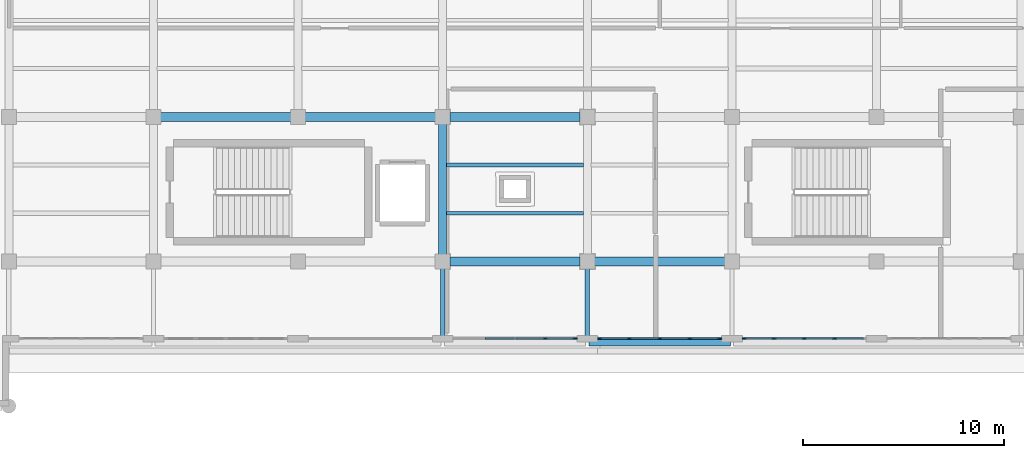
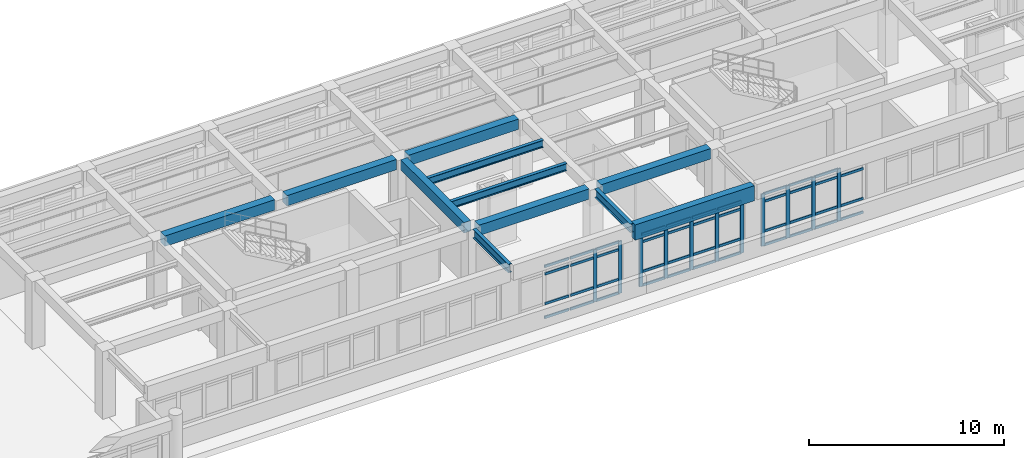
# One storey, part 6 of 64: 54 members, 11 beams, 3 elements without a shape of their own.
"""IFC4 building model written with IfcOpenShell, lengths in metres."""

import ifcopenshell
import ifcopenshell.guid

model = None  # the IFC model being written
_history = None  # IfcOwnerHistory: only IFC2X3 demands one
_inside = {}  # id of a spatial element -> (the spatial element, [elements in it])
_under = {}  # id of a project, library or spatial element -> (it, [spatial elements below it])
_declared = {}  # id of a project -> (the project, [libraries it declares])
_typed = {}  # id of a type object -> (the type object, [elements of that type])
_made_of = {}  # id of a material, layer set ... -> (it, [elements and type objects made of it])


def new_model(schema):
    """Start an empty IFC model of exactly this schema.

    Asked for "IFC4X3", IfcOpenShell would pick the latest addendum, in which some entities
    have other attributes; the version numbers below select the first issue.
    IFC2X3 requires an IfcOwnerHistory on every rooted entity: one is made here for all.
    """
    global model, _history
    if schema == "IFC4X3":
        model = ifcopenshell.file(schema_version=(4, 3, 0, 0))
    else:
        model = ifcopenshell.file(schema=schema)
    _inside.clear()
    _under.clear()
    _declared.clear()
    _typed.clear()
    _made_of.clear()
    _history = None
    if model.schema == "IFC2X3":
        org = make("IfcOrganization", Name="unknown")
        user = make(
            "IfcPersonAndOrganization",
            ThePerson=make("IfcPerson", FamilyName="unknown"),
            TheOrganization=org,
        )
        app = make(
            "IfcApplication",
            ApplicationDeveloper=org,
            Version="unknown",
            ApplicationFullName="unknown",
            ApplicationIdentifier="unknown",
        )
        _history = make(
            "IfcOwnerHistory",
            OwningUser=user,
            OwningApplication=app,
            ChangeAction="ADDED",
            CreationDate=0,
        )
    return model


def make(cls, **values):
    """One entity of the class cls with the attributes given. An attribute that is None is left unset."""
    return model.create_entity(
        cls, **{name: value for name, value in values.items() if value is not None}
    )


def rooted(cls, **values):
    """An entity with a GlobalId (a new one), such as an element, a storey or a relation."""
    return make(cls, GlobalId=ifcopenshell.guid.new(), OwnerHistory=_history, **values)


def si_unit(unit_type, name, prefix=None):
    """IfcSIUnit, for example si_unit("LENGTHUNIT", "METRE", prefix="MILLI")."""
    return make("IfcSIUnit", UnitType=unit_type, Prefix=prefix, Name=name)


def assignment(units):
    """IfcUnitAssignment: the units of a project."""
    return None if units is None else make("IfcUnitAssignment", Units=units)


def point(xyz):
    """IfcCartesianPoint."""
    return None if xyz is None else make("IfcCartesianPoint", Coordinates=xyz)


def direction(xyz):
    """IfcDirection."""
    return None if xyz is None else make("IfcDirection", DirectionRatios=xyz)


def frame(location, z_axis=None, x_axis=None):
    """IfcAxis2Placement3D, a coordinate frame: its origin and axes. An axis left out is left unset."""
    return make(
        "IfcAxis2Placement3D",
        Location=point(location),
        Axis=direction(z_axis),
        RefDirection=direction(x_axis),
    )


def frame_2d(location, x_axis=None):
    """IfcAxis2Placement2D, a coordinate frame in the plane: its origin and x axis."""
    return make(
        "IfcAxis2Placement2D", Location=point(location), RefDirection=direction(x_axis)
    )


def origin():
    """The frame at (0, 0, 0) with its axes left unset."""
    return frame((0.0, 0.0, 0.0))


def origin_2d():
    """The frame at (0, 0) in the plane with its x axis left unset."""
    return frame_2d((0.0, 0.0))


def place(relative_to, where):
    """IfcLocalPlacement: puts the frame where relative to a parent placement (None: the world)."""
    return make(
        "IfcLocalPlacement", PlacementRelTo=relative_to, RelativePlacement=where
    )


def context(
    kind, dimensions, precision=None, world=None, true_north=None, identifier=None
):
    """IfcGeometricRepresentationContext, for example the 3D "Model" context."""
    return make(
        "IfcGeometricRepresentationContext",
        ContextIdentifier=identifier,
        ContextType=kind,
        CoordinateSpaceDimension=dimensions,
        Precision=precision,
        WorldCoordinateSystem=world,
        TrueNorth=true_north,
    )


def subcontext(parent, identifier, kind, view, scale=None):
    """IfcGeometricRepresentationSubContext, for example "Body" below "Model"."""
    return make(
        "IfcGeometricRepresentationSubContext",
        ContextIdentifier=identifier,
        ContextType=kind,
        ParentContext=parent,
        TargetScale=scale,
        TargetView=view,
    )


def project(units=None, contexts=None):
    """IfcProject with its units and contexts."""
    return rooted(
        "IfcProject",
        Name="project",
        RepresentationContexts=contexts,
        UnitsInContext=assignment(units),
    )


def spatial(cls, under=None, at=None, **own):
    """A site, building, storey or space (cls), placed at a placement, below another one or the project."""
    s = rooted(cls, ObjectPlacement=at, **own)
    if under is not None:
        _under.setdefault(under.id(), (under, []))[1].append(s)
    return s


def profile(cls, at=None, kind="AREA", **sizes):
    """A parametric profile (cls). Its sizes go by their IFC names, for example OverallWidth=200.0."""
    return make(cls, ProfileType=kind, Position=at, **sizes)


def rectangle(**sizes):
    """IfcRectangleProfileDef."""
    return profile("IfcRectangleProfileDef", **sizes)


def i_section(**sizes):
    """IfcIShapeProfileDef."""
    return profile("IfcIShapeProfileDef", **sizes)


def extrude(swept, where, along, depth):
    """IfcExtrudedAreaSolid: the profile swept, set in the frame where, extruded along a direction by depth."""
    return make(
        "IfcExtrudedAreaSolid",
        SweptArea=swept,
        Position=where,
        ExtrudedDirection=direction(along),
        Depth=depth,
    )


def shape(context_of_items, identifier, shape_type, items):
    """IfcShapeRepresentation: the items that make up one representation, for example the "Body"."""
    return make(
        "IfcShapeRepresentation",
        ContextOfItems=context_of_items,
        RepresentationIdentifier=identifier,
        RepresentationType=shape_type,
        Items=items,
    )


def material(Name=None, Category=None):
    """IfcMaterial."""
    return make("IfcMaterial", Name=Name, Category=Category)


def layer(
    of_material, thickness, ventilated=None, Name=None, Category=None, Priority=None
):
    """IfcMaterialLayer: one layer of a wall or slab, of a material (None: an air gap)."""
    return make(
        "IfcMaterialLayer",
        Material=of_material,
        LayerThickness=thickness,
        IsVentilated=ventilated,
        Name=Name,
        Category=Category,
        Priority=Priority,
    )


def layer_set(layers, Name=None):
    """IfcMaterialLayerSet."""
    return make("IfcMaterialLayerSet", MaterialLayers=layers, LayerSetName=Name)


def material_profile(
    of_material, cross_section, Name=None, Category=None, Priority=None
):
    """IfcMaterialProfile: a cross section and its material."""
    return make(
        "IfcMaterialProfile",
        Name=Name,
        Material=of_material,
        Profile=cross_section,
        Priority=Priority,
        Category=Category,
    )


def profile_set(profiles, Name=None, composite=None):
    """IfcMaterialProfileSet."""
    return make(
        "IfcMaterialProfileSet",
        Name=Name,
        MaterialProfiles=profiles,
        CompositeProfile=composite,
    )


def made_of(thing, what):
    """Note that an element or type object is made of a material, layer set ...; save() writes the relation."""
    if what is not None:
        _made_of.setdefault(what.id(), (what, []))[1].append(thing)
    return thing


def type_object(cls, material=None, **own):
    """A type object (cls), such as IfcWallType, which elements share."""
    return made_of(rooted(cls, **own), material)


def element(
    cls,
    number,
    at=None,
    inside=None,
    cuts=None,
    type_object=None,
    material=None,
    context=None,
    identifier="Body",
    shape_type=None,
    held_by="IfcProductDefinitionShape",
    body=None,
    shapes=None,
    **own,
):
    """One element of the class cls, such as IfcWall. Its Tag is "e" and its number.

    at: its placement. inside: the storey or other place that contains it. cuts: it is an
    opening in that element (IfcRelVoidsElement). A single representation is given by context,
    identifier, shape_type and body (its items); several are given by shapes. held_by: the class
    of the entity that holds the representations. save() writes the other relations.
    """
    e = rooted(cls, Tag="e%d" % number, ObjectPlacement=at, **own)
    if body is not None:
        shapes = [shape(context, identifier, shape_type, body)]
    if shapes is not None:
        e.Representation = make(held_by, Representations=shapes)
    if inside is not None:
        _inside.setdefault(inside.id(), (inside, []))[1].append(e)
    if cuts is not None:
        rooted(
            "IfcRelVoidsElement", RelatingBuildingElement=cuts, RelatedOpeningElement=e
        )
    if type_object is not None:
        _typed.setdefault(type_object.id(), (type_object, []))[1].append(e)
    return made_of(e, material)


def aggregate(whole, parts):
    """IfcRelAggregates: a whole, such as a stair, and the parts it consists of."""
    return rooted("IfcRelAggregates", RelatingObject=whole, RelatedObjects=parts)


def save(model, path):
    """Write the relations noted so far, then the file.

    IfcRelAggregates (storeys below a building ...), IfcRelContainedInSpatialStructure (elements
    in a storey), IfcRelDefinesByType, IfcRelAssociatesMaterial and IfcRelDeclares: one each for
    every whole, place, type object, material and project.
    """
    for whole, parts in _under.values():
        aggregate(whole, parts)
    for where, things in _inside.values():
        rooted(
            "IfcRelContainedInSpatialStructure",
            RelatedElements=things,
            RelatingStructure=where,
        )
    for kind, things in _typed.values():
        rooted("IfcRelDefinesByType", RelatedObjects=things, RelatingType=kind)
    for what, things in _made_of.values():
        rooted("IfcRelAssociatesMaterial", RelatedObjects=things, RelatingMaterial=what)
    for by, libraries in _declared.values():
        rooted("IfcRelDeclares", RelatingContext=by, RelatedDefinitions=libraries)
    model.write(path)


model = new_model("IFC4")

# Units and contexts
model_context = context("Model", 3, precision=1e-05, world=origin(), true_north=direction((0.0, 1.0)))
body_context = subcontext(model_context, "Body", "Model", "MODEL_VIEW")
ifc_project = project(units=[si_unit("LENGTHUNIT", "METRE"), si_unit("AREAUNIT", "SQUARE_METRE"), si_unit("VOLUMEUNIT", "CUBIC_METRE"), si_unit("PLANEANGLEUNIT", "RADIAN"), si_unit("MASSUNIT", "GRAM", prefix="KILO")], contexts=[model_context])

# Site, building, storey
site_placement = place(None, origin())
site = spatial("IfcSite", under=ifc_project, at=site_placement, CompositionType="ELEMENT")
building_placement = place(site_placement, origin())
building = spatial("IfcBuilding", under=site, at=building_placement, Name="Solenvale Faculty of Natural Sciences", CompositionType="ELEMENT")
storey_placement = place(building_placement, frame((0.0, 0.0, 18.0)))
storey = spatial("IfcBuildingStorey", under=building, at=storey_placement, Name="L04", CompositionType="ELEMENT", Elevation=18.0)

# Beams
ifc_material_1 = material(Name="Concrete 40 MPa", Category="concrete")
ifc_material_profile_1 = material_profile(ifc_material_1, rectangle(XDim=0.39990234375, YDim=0.64990234375, at=origin_2d()), Name="RC-BM-400x650")
ifc_profile_set_1 = profile_set([ifc_material_profile_1], Name="Concrete 40 MPa")
beam_type_1 = type_object("IfcBeamType", Name="BM-RC-400x650", PredefinedType="BEAM", material=ifc_profile_set_1)
beam_1_placement = place(storey_placement, frame((79.199951171875, 21.955078125, 3.89501953125), z_axis=(0.0, 1.0, 0.0), x_axis=(-1.0, 0.0, 0.0)))
element("IfcBeam", 1, at=beam_1_placement, inside=storey, type_object=beam_type_1, Name="L04 Y-Girder X79.2 (21.6..28.8)", PredefinedType="BEAM", context=body_context, shape_type="SweptSolid", body=[
    extrude(rectangle(XDim=0.39990234375, YDim=0.64990234375, at=origin_2d()), origin(), (0.0, 0.0, 1.0), 6.489990234375),
])
ifc_material_profile_2 = material_profile(ifc_material_1, rectangle(XDim=0.449951171875, YDim=0.64990234375, at=origin_2d()), Name="RC-BM-450x650")
ifc_profile_set_2 = profile_set([ifc_material_profile_2], Name="Concrete 40 MPa")
beam_type_2 = type_object("IfcBeamType", Name="BM-RC-450x650", PredefinedType="BEAM", material=ifc_profile_set_2)
beam_2_placement = place(storey_placement, frame((79.554931640625, 21.60009765625, 3.89501953125), z_axis=(1.0, 0.0, 0.0), x_axis=(0.0, 1.0, 0.0)))
element("IfcBeam", 2, at=beam_2_placement, inside=storey, type_object=beam_type_2, Name="L04 X-Girder Y21.6 (79.2..86.4)", PredefinedType="BEAM", context=body_context, shape_type="SweptSolid", body=[
    extrude(rectangle(XDim=0.449951171875, YDim=0.64990234375, at=origin_2d()), origin(), (0.0, 0.0, 1.0), 6.489990234375),
])
beam_3_placement = place(storey_placement, frame((86.7548828125, 21.60009765625, 3.89501953125), z_axis=(1.0, 0.0, 0.0), x_axis=(0.0, 1.0, 0.0)))
element("IfcBeam", 3, at=beam_3_placement, inside=storey, type_object=beam_type_2, Name="L04 X-Girder Y21.6 (86.4..93.6)", PredefinedType="BEAM", context=body_context, shape_type="SweptSolid", body=[
    extrude(rectangle(XDim=0.449951171875, YDim=0.64990234375, at=origin_2d()), origin(), (0.0, 0.0, 1.0), 6.490234375),
])
for number, where, z_axis, x_axis, name in (
    (4, (65.155029296875, 28.800048828125, 3.89501953125), (1.0, 0.0, 0.0), (0.0, 1.0, 0.0), "L04 X-Girder Y28.8 (64.8..72.0)"),
    (5, (72.35498046875, 28.800048828125, 3.89501953125), (1.0, 0.0, 0.0), (0.0, 1.0, 0.0), "L04 X-Girder Y28.8 (72.0..79.2)"),
    (6, (79.554931640625, 28.800048828125, 3.89501953125), (1.0, 0.0, 0.0), (0.0, 1.0, 0.0), "L04 X-Girder Y28.8 (79.2..86.4)"),
):
    element("IfcBeam", number, at=place(storey_placement, frame(where, z_axis=z_axis, x_axis=x_axis)), inside=storey, type_object=beam_type_2, Name=name, PredefinedType="BEAM", context=body_context, shape_type="SweptSolid", body=[
        extrude(rectangle(XDim=0.449951171875, YDim=0.64990234375, at=origin_2d()), origin(), (0.0, 0.0, 1.0), 6.489990234375),
    ])
ifc_material_2 = material(Name="Architectural bronze concrete 40 MPa", Category="concrete")
ifc_material_profile_3 = material_profile(ifc_material_2, rectangle(XDim=0.39990234375, YDim=0.949951171875, at=origin_2d()), Name="RC-SPN-400x950")
ifc_profile_set_3 = profile_set([ifc_material_profile_3], Name="Architectural bronze concrete 40 MPa")
beam_type_3 = type_object("IfcBeamType", Name="BM-SPN-BRZ-950", PredefinedType="SPANDREL", material=ifc_profile_set_3)
beam_4_placement = place(storey_placement, frame((86.47998046875, 17.60009765625, 3.7451171875), z_axis=(1.0, 0.0, 0.0), x_axis=(0.0, 1.0, 0.0)))
element("IfcBeam", 7, at=beam_4_placement, inside=storey, type_object=beam_type_3, Name="L05 Sliding-Tray South Bronze Fascia 4", PredefinedType="SPANDREL", context=body_context, shape_type="SweptSolid", body=[
    extrude(rectangle(XDim=0.39990234375, YDim=0.949951171875, at=origin_2d()), origin(), (0.0, 0.0, 1.0), 7.0400390625),
])
ifc_material_3 = material(Name="Steel S355", Category="steel")
ifc_material_profile_4 = material_profile(ifc_material_3, i_section(OverallWidth=0.19091796875, OverallDepth=0.4599609375, WebThickness=0.010009765625, FlangeThickness=0.01611328125, FilletRadius=0.01806640625, at=origin_2d()), Name="W460x82")
ifc_profile_set_4 = profile_set([ifc_material_profile_4], Name="Steel S355")
beam_type_4 = type_object("IfcBeamType", Name="BM-STL-W460x82", PredefinedType="JOIST", material=ifc_profile_set_4)
for number, where, z_axis, x_axis, name in (
    (8, (79.3798828125, 24.0, 3.989990234375), (1.0, 0.0, 0.0), (0.0, 1.0, 0.0), "L04 Composite Floor Joist (12,4).1"),
    (9, (79.3798828125, 26.39990234375, 3.989990234375), (1.0, 0.0, 0.0), (0.0, 1.0, 0.0), "L04 Composite Floor Joist (12,4).2"),
):
    element("IfcBeam", number, at=place(storey_placement, frame(where, z_axis=z_axis, x_axis=x_axis)), inside=storey, type_object=beam_type_4, Name=name, PredefinedType="JOIST", context=body_context, shape_type="SweptSolid", body=[
        extrude(i_section(OverallWidth=0.19091796875, OverallDepth=0.4599609375, WebThickness=0.010009765625, FlangeThickness=0.01611328125, FilletRadius=0.01806640625, at=origin_2d()), origin(), (0.0, 0.0, 1.0), 6.840087890625),
    ])
ifc_material_profile_5 = material_profile(ifc_material_3, i_section(OverallWidth=0.2119140625, OverallDepth=0.5439453125, WebThickness=0.01318359375, FlangeThickness=0.021240234375, FilletRadius=0.01904296875, at=origin_2d()), Name="W530x123")
ifc_profile_set_5 = profile_set([ifc_material_profile_5], Name="Steel S355")
beam_type_5 = type_object("IfcBeamType", Name="BM-STL-W530x123", PredefinedType="BEAM", material=ifc_profile_set_5)
for number, where, z_axis, x_axis, name in (
    (10, (79.199951171875, 21.2451171875, 3.947998046875), (0.0, -1.0, 0.0), (1.0, 0.0, 0.0), "L04 V4 Cantilever Tray Girder X79.2"),
    (11, (86.39990234375, 21.2451171875, 3.947998046875), (0.0, -1.0, 0.0), (1.0, 0.0, 0.0), "L04 V4 Cantilever Tray Girder X86.4"),
):
    element("IfcBeam", number, at=place(storey_placement, frame(where, z_axis=z_axis, x_axis=x_axis)), inside=storey, type_object=beam_type_5, Name=name, PredefinedType="BEAM", context=body_context, shape_type="SweptSolid", body=[
        extrude(i_section(OverallWidth=0.2119140625, OverallDepth=0.5439453125, WebThickness=0.01318359375, FlangeThickness=0.021240234375, FilletRadius=0.01904296875, at=origin_2d()), origin(), (0.0, 0.0, 1.0), 3.64501953125),
    ])

# Curtain wall, members
ifc_material_4 = material(Name="Anodised bronze aluminium", Category="aluminium")
ifc_layer = layer(ifc_material_4, 0.18994140625)
ifc_layer_set = layer_set([ifc_layer], Name="Anodised bronze aluminium")
curtain_wall_type = type_object("IfcCurtainWallType", Name="CW-TRAY-REC", PredefinedType="USERDEFINED", material=ifc_layer_set)
curtain_wall_1_placement = place(storey_placement, origin())
curtain_wall_1 = element("IfcCurtainWall", 12, at=curtain_wall_1_placement, inside=storey, type_object=curtain_wall_type, Name="L04 Curtain Wall CW-L04-P1-E6-B4", ObjectType="UNITISED CURTAIN WALL", PredefinedType="USERDEFINED")
ifc_material_profile_6 = material_profile(ifc_material_4, rectangle(XDim=0.074951171875, YDim=0.2099609375, at=origin_2d()), Name="ALU-MUL-75x210")
ifc_profile_set_6 = profile_set([ifc_material_profile_6], Name="Anodised bronze aluminium")
member_type_1 = type_object("IfcMemberType", Name="CWM-ALU-75x210", PredefinedType="MULLION", material=ifc_profile_set_6)
member_1_placement = place(storey_placement, frame((84.31005859375, 17.762451171875, 0.0), z_axis=(0.0, 0.0, 1.0), x_axis=(0.0, 1.0, 0.0)))
member_1 = element("IfcMember", 13, at=member_1_placement, type_object=member_type_1, Name="CW-02 mullion 4", PredefinedType="MULLION", context=body_context, shape_type="SweptSolid", body=[
    extrude(rectangle(XDim=0.074951171875, YDim=0.2099609375, at=origin_2d()), origin(), (0.0, 0.0, 1.0), 3.260009765625),
])
member_2_placement = place(storey_placement, frame((85.782470703125, 17.762451171875, 0.0), z_axis=(0.0, 0.0, 1.0), x_axis=(0.0, 1.0, 0.0)))
member_2 = element("IfcMember", 14, at=member_2_placement, type_object=member_type_1, Name="CW-02 mullion 5", PredefinedType="MULLION", context=body_context, shape_type="SweptSolid", body=[
    extrude(rectangle(XDim=0.074951171875, YDim=0.2099609375, at=origin_2d()), origin(), (0.0, 0.0, 1.0), 3.260009765625),
])

curtain_wall_2_placement = place(storey_placement, origin())
curtain_wall_2 = element("IfcCurtainWall", 15, at=curtain_wall_2_placement, inside=storey, type_object=curtain_wall_type, Name="L04 Curtain Wall CW-L04-P1-E6-B5", ObjectType="UNITISED CURTAIN WALL", PredefinedType="USERDEFINED")
member_3_placement = place(storey_placement, frame((87.017578125, 17.762451171875, 0.0), z_axis=(0.0, 0.0, 1.0), x_axis=(0.0, 1.0, 0.0)))
member_3 = element("IfcMember", 16, at=member_3_placement, type_object=member_type_1, Name="CW-02 mullion 1", PredefinedType="MULLION", context=body_context, shape_type="SweptSolid", body=[
    extrude(rectangle(XDim=0.074951171875, YDim=0.2099609375, at=origin_2d()), origin(), (0.0, 0.0, 1.0), 3.260009765625),
])
member_4_placement = place(storey_placement, frame((88.489990234375, 17.762451171875, 0.0), z_axis=(0.0, 0.0, 1.0), x_axis=(0.0, 1.0, 0.0)))
member_4 = element("IfcMember", 17, at=member_4_placement, type_object=member_type_1, Name="CW-02 mullion 2", PredefinedType="MULLION", context=body_context, shape_type="SweptSolid", body=[
    extrude(rectangle(XDim=0.074951171875, YDim=0.2099609375, at=origin_2d()), origin(), (0.0, 0.0, 1.0), 3.260009765625),
])
member_5_placement = place(storey_placement, frame((90.0, 17.762451171875, 0.0), z_axis=(0.0, 0.0, 1.0), x_axis=(0.0, 1.0, 0.0)))
member_5 = element("IfcMember", 18, at=member_5_placement, type_object=member_type_1, Name="CW-02 mullion 3", PredefinedType="MULLION", context=body_context, shape_type="SweptSolid", body=[
    extrude(rectangle(XDim=0.074951171875, YDim=0.2099609375, at=origin_2d()), origin(), (0.0, 0.0, 1.0), 3.260009765625),
])
member_6_placement = place(storey_placement, frame((91.510009765625, 17.762451171875, 0.0), z_axis=(0.0, 0.0, 1.0), x_axis=(0.0, 1.0, 0.0)))
member_6 = element("IfcMember", 19, at=member_6_placement, type_object=member_type_1, Name="CW-02 mullion 4", PredefinedType="MULLION", context=body_context, shape_type="SweptSolid", body=[
    extrude(rectangle(XDim=0.074951171875, YDim=0.2099609375, at=origin_2d()), origin(), (0.0, 0.0, 1.0), 3.260009765625),
])
member_7_placement = place(storey_placement, frame((92.982421875, 17.762451171875, 0.0), z_axis=(0.0, 0.0, 1.0), x_axis=(0.0, 1.0, 0.0)))
member_7 = element("IfcMember", 20, at=member_7_placement, type_object=member_type_1, Name="CW-02 mullion 5", PredefinedType="MULLION", context=body_context, shape_type="SweptSolid", body=[
    extrude(rectangle(XDim=0.074951171875, YDim=0.2099609375, at=origin_2d()), origin(), (0.0, 0.0, 1.0), 3.260009765625),
])

curtain_wall_3_placement = place(storey_placement, origin())
curtain_wall_3 = element("IfcCurtainWall", 21, at=curtain_wall_3_placement, inside=storey, type_object=curtain_wall_type, Name="L04 Curtain Wall CW-L04-P1-E6-B6", ObjectType="UNITISED CURTAIN WALL", PredefinedType="USERDEFINED")
member_8_placement = place(storey_placement, frame((94.217529296875, 17.762451171875, 0.0), z_axis=(0.0, 0.0, 1.0), x_axis=(0.0, 1.0, 0.0)))
member_8 = element("IfcMember", 22, at=member_8_placement, type_object=member_type_1, Name="CW-02 mullion 1", PredefinedType="MULLION", context=body_context, shape_type="SweptSolid", body=[
    extrude(rectangle(XDim=0.074951171875, YDim=0.2099609375, at=origin_2d()), origin(), (0.0, 0.0, 1.0), 3.260009765625),
])
member_9_placement = place(storey_placement, frame((95.68994140625, 17.762451171875, 0.0), z_axis=(0.0, 0.0, 1.0), x_axis=(0.0, 1.0, 0.0)))
member_9 = element("IfcMember", 23, at=member_9_placement, type_object=member_type_1, Name="CW-02 mullion 2", PredefinedType="MULLION", context=body_context, shape_type="SweptSolid", body=[
    extrude(rectangle(XDim=0.074951171875, YDim=0.2099609375, at=origin_2d()), origin(), (0.0, 0.0, 1.0), 3.260009765625),
])
member_10_placement = place(storey_placement, frame((97.199951171875, 17.762451171875, 0.0), z_axis=(0.0, 0.0, 1.0), x_axis=(0.0, 1.0, 0.0)))
member_10 = element("IfcMember", 24, at=member_10_placement, type_object=member_type_1, Name="CW-02 mullion 3", PredefinedType="MULLION", context=body_context, shape_type="SweptSolid", body=[
    extrude(rectangle(XDim=0.074951171875, YDim=0.2099609375, at=origin_2d()), origin(), (0.0, 0.0, 1.0), 3.260009765625),
])
member_11_placement = place(storey_placement, frame((98.7099609375, 17.762451171875, 0.0), z_axis=(0.0, 0.0, 1.0), x_axis=(0.0, 1.0, 0.0)))
member_11 = element("IfcMember", 25, at=member_11_placement, type_object=member_type_1, Name="CW-02 mullion 4", PredefinedType="MULLION", context=body_context, shape_type="SweptSolid", body=[
    extrude(rectangle(XDim=0.074951171875, YDim=0.2099609375, at=origin_2d()), origin(), (0.0, 0.0, 1.0), 3.260009765625),
])

# Member
ifc_material_profile_7 = material_profile(ifc_material_4, rectangle(XDim=0.074951171875, YDim=0.155029296875, at=origin_2d()), Name="ALU-TRN-75x155")
ifc_profile_set_7 = profile_set([ifc_material_profile_7], Name="Anodised bronze aluminium")
member_type_2 = type_object("IfcMemberType", Name="CWT-ALU-75x155", PredefinedType="USERDEFINED", material=ifc_profile_set_7)
member_12_placement = place(storey_placement, frame((81.327392578125, 17.762451171875, 0.03759765625), z_axis=(1.0, 0.0, 0.0), x_axis=(0.0, 1.0, 0.0)))
member_12 = element("IfcMember", 26, at=member_12_placement, type_object=member_type_2, Name="CW-02 transom 2.1", ObjectType="TRANSOM", PredefinedType="USERDEFINED", context=body_context, shape_type="SweptSolid", body=[
    extrude(rectangle(XDim=0.074951171875, YDim=0.155029296875, at=origin_2d()), origin(), (0.0, 0.0, 1.0), 1.43505859375),
])

member_13_placement = place(storey_placement, frame((81.327392578125, 17.762451171875, 0.89990234375), z_axis=(1.0, 0.0, 0.0), x_axis=(0.0, 1.0, 0.0)))
member_13 = element("IfcMember", 27, at=member_13_placement, type_object=member_type_2, Name="CW-02 transom 2.2", ObjectType="TRANSOM", PredefinedType="USERDEFINED", context=body_context, shape_type="SweptSolid", body=[
    extrude(rectangle(XDim=0.074951171875, YDim=0.155029296875, at=origin_2d()), origin(), (0.0, 0.0, 1.0), 1.43505859375),
])

member_14_placement = place(storey_placement, frame((81.327392578125, 17.762451171875, 2.760009765625), z_axis=(1.0, 0.0, 0.0), x_axis=(0.0, 1.0, 0.0)))
member_14 = element("IfcMember", 28, at=member_14_placement, type_object=member_type_2, Name="CW-02 transom 2.3", ObjectType="TRANSOM", PredefinedType="USERDEFINED", context=body_context, shape_type="SweptSolid", body=[
    extrude(rectangle(XDim=0.074951171875, YDim=0.155029296875, at=origin_2d()), origin(), (0.0, 0.0, 1.0), 1.43505859375),
])

member_15_placement = place(storey_placement, frame((81.327392578125, 17.762451171875, 3.222412109375), z_axis=(1.0, 0.0, 0.0), x_axis=(0.0, 1.0, 0.0)))
member_15 = element("IfcMember", 29, at=member_15_placement, type_object=member_type_2, Name="CW-02 transom 2.4", ObjectType="TRANSOM", PredefinedType="USERDEFINED", context=body_context, shape_type="SweptSolid", body=[
    extrude(rectangle(XDim=0.074951171875, YDim=0.155029296875, at=origin_2d()), origin(), (0.0, 0.0, 1.0), 1.43505859375),
])

member_16_placement = place(storey_placement, frame((82.83740234375, 17.762451171875, 0.03759765625), z_axis=(1.0, 0.0, 0.0), x_axis=(0.0, 1.0, 0.0)))
member_16 = element("IfcMember", 30, at=member_16_placement, type_object=member_type_2, Name="CW-02 transom 3.1", ObjectType="TRANSOM", PredefinedType="USERDEFINED", context=body_context, shape_type="SweptSolid", body=[
    extrude(rectangle(XDim=0.074951171875, YDim=0.155029296875, at=origin_2d()), origin(), (0.0, 0.0, 1.0), 1.43505859375),
])

member_17_placement = place(storey_placement, frame((82.83740234375, 17.762451171875, 0.89990234375), z_axis=(1.0, 0.0, 0.0), x_axis=(0.0, 1.0, 0.0)))
member_17 = element("IfcMember", 31, at=member_17_placement, type_object=member_type_2, Name="CW-02 transom 3.2", ObjectType="TRANSOM", PredefinedType="USERDEFINED", context=body_context, shape_type="SweptSolid", body=[
    extrude(rectangle(XDim=0.074951171875, YDim=0.155029296875, at=origin_2d()), origin(), (0.0, 0.0, 1.0), 1.43505859375),
])

member_18_placement = place(storey_placement, frame((82.83740234375, 17.762451171875, 2.760009765625), z_axis=(1.0, 0.0, 0.0), x_axis=(0.0, 1.0, 0.0)))
member_18 = element("IfcMember", 32, at=member_18_placement, type_object=member_type_2, Name="CW-02 transom 3.3", ObjectType="TRANSOM", PredefinedType="USERDEFINED", context=body_context, shape_type="SweptSolid", body=[
    extrude(rectangle(XDim=0.074951171875, YDim=0.155029296875, at=origin_2d()), origin(), (0.0, 0.0, 1.0), 1.43505859375),
])

member_19_placement = place(storey_placement, frame((82.83740234375, 17.762451171875, 3.222412109375), z_axis=(1.0, 0.0, 0.0), x_axis=(0.0, 1.0, 0.0)))
member_19 = element("IfcMember", 33, at=member_19_placement, type_object=member_type_2, Name="CW-02 transom 3.4", ObjectType="TRANSOM", PredefinedType="USERDEFINED", context=body_context, shape_type="SweptSolid", body=[
    extrude(rectangle(XDim=0.074951171875, YDim=0.155029296875, at=origin_2d()), origin(), (0.0, 0.0, 1.0), 1.43505859375),
])

member_20_placement = place(storey_placement, frame((84.347412109375, 17.762451171875, 0.03759765625), z_axis=(1.0, 0.0, 0.0), x_axis=(0.0, 1.0, 0.0)))
member_20 = element("IfcMember", 34, at=member_20_placement, type_object=member_type_2, Name="CW-02 transom 4.1", ObjectType="TRANSOM", PredefinedType="USERDEFINED", context=body_context, shape_type="SweptSolid", body=[
    extrude(rectangle(XDim=0.074951171875, YDim=0.155029296875, at=origin_2d()), origin(), (0.0, 0.0, 1.0), 1.397705078125),
])

member_21_placement = place(storey_placement, frame((84.347412109375, 17.762451171875, 0.89990234375), z_axis=(1.0, 0.0, 0.0), x_axis=(0.0, 1.0, 0.0)))
member_21 = element("IfcMember", 35, at=member_21_placement, type_object=member_type_2, Name="CW-02 transom 4.2", ObjectType="TRANSOM", PredefinedType="USERDEFINED", context=body_context, shape_type="SweptSolid", body=[
    extrude(rectangle(XDim=0.074951171875, YDim=0.155029296875, at=origin_2d()), origin(), (0.0, 0.0, 1.0), 1.397705078125),
])

member_22_placement = place(storey_placement, frame((84.347412109375, 17.762451171875, 2.760009765625), z_axis=(1.0, 0.0, 0.0), x_axis=(0.0, 1.0, 0.0)))
member_22 = element("IfcMember", 36, at=member_22_placement, type_object=member_type_2, Name="CW-02 transom 4.3", ObjectType="TRANSOM", PredefinedType="USERDEFINED", context=body_context, shape_type="SweptSolid", body=[
    extrude(rectangle(XDim=0.074951171875, YDim=0.155029296875, at=origin_2d()), origin(), (0.0, 0.0, 1.0), 1.397705078125),
])

member_23_placement = place(storey_placement, frame((84.347412109375, 17.762451171875, 3.222412109375), z_axis=(1.0, 0.0, 0.0), x_axis=(0.0, 1.0, 0.0)))
member_23 = element("IfcMember", 37, at=member_23_placement, type_object=member_type_2, Name="CW-02 transom 4.4", ObjectType="TRANSOM", PredefinedType="USERDEFINED", context=body_context, shape_type="SweptSolid", body=[
    extrude(rectangle(XDim=0.074951171875, YDim=0.155029296875, at=origin_2d()), origin(), (0.0, 0.0, 1.0), 1.397705078125),
])

aggregate(curtain_wall_1, [member_1, member_2, member_12, member_13, member_14, member_15, member_16, member_17, member_18, member_19, member_20, member_21, member_22, member_23])

member_24_placement = place(storey_placement, frame((87.054931640625, 17.762451171875, 0.03759765625), z_axis=(1.0, 0.0, 0.0), x_axis=(0.0, 1.0, 0.0)))
member_24 = element("IfcMember", 38, at=member_24_placement, type_object=member_type_2, Name="CW-02 transom 1.1", ObjectType="TRANSOM", PredefinedType="USERDEFINED", context=body_context, shape_type="SweptSolid", body=[
    extrude(rectangle(XDim=0.074951171875, YDim=0.155029296875, at=origin_2d()), origin(), (0.0, 0.0, 1.0), 1.3974609375),
])

member_25_placement = place(storey_placement, frame((87.054931640625, 17.762451171875, 0.89990234375), z_axis=(1.0, 0.0, 0.0), x_axis=(0.0, 1.0, 0.0)))
member_25 = element("IfcMember", 39, at=member_25_placement, type_object=member_type_2, Name="CW-02 transom 1.2", ObjectType="TRANSOM", PredefinedType="USERDEFINED", context=body_context, shape_type="SweptSolid", body=[
    extrude(rectangle(XDim=0.074951171875, YDim=0.155029296875, at=origin_2d()), origin(), (0.0, 0.0, 1.0), 1.3974609375),
])

member_26_placement = place(storey_placement, frame((87.054931640625, 17.762451171875, 2.760009765625), z_axis=(1.0, 0.0, 0.0), x_axis=(0.0, 1.0, 0.0)))
member_26 = element("IfcMember", 40, at=member_26_placement, type_object=member_type_2, Name="CW-02 transom 1.3", ObjectType="TRANSOM", PredefinedType="USERDEFINED", context=body_context, shape_type="SweptSolid", body=[
    extrude(rectangle(XDim=0.074951171875, YDim=0.155029296875, at=origin_2d()), origin(), (0.0, 0.0, 1.0), 1.3974609375),
])

member_27_placement = place(storey_placement, frame((87.054931640625, 17.762451171875, 3.222412109375), z_axis=(1.0, 0.0, 0.0), x_axis=(0.0, 1.0, 0.0)))
member_27 = element("IfcMember", 41, at=member_27_placement, type_object=member_type_2, Name="CW-02 transom 1.4", ObjectType="TRANSOM", PredefinedType="USERDEFINED", context=body_context, shape_type="SweptSolid", body=[
    extrude(rectangle(XDim=0.074951171875, YDim=0.155029296875, at=origin_2d()), origin(), (0.0, 0.0, 1.0), 1.3974609375),
])

member_28_placement = place(storey_placement, frame((88.527587890625, 17.762451171875, 0.03759765625), z_axis=(1.0, 0.0, 0.0), x_axis=(0.0, 1.0, 0.0)))
member_28 = element("IfcMember", 42, at=member_28_placement, type_object=member_type_2, Name="CW-02 transom 2.1", ObjectType="TRANSOM", PredefinedType="USERDEFINED", context=body_context, shape_type="SweptSolid", body=[
    extrude(rectangle(XDim=0.074951171875, YDim=0.155029296875, at=origin_2d()), origin(), (0.0, 0.0, 1.0), 1.434814453125),
])

member_29_placement = place(storey_placement, frame((88.527587890625, 17.762451171875, 0.89990234375), z_axis=(1.0, 0.0, 0.0), x_axis=(0.0, 1.0, 0.0)))
member_29 = element("IfcMember", 43, at=member_29_placement, type_object=member_type_2, Name="CW-02 transom 2.2", ObjectType="TRANSOM", PredefinedType="USERDEFINED", context=body_context, shape_type="SweptSolid", body=[
    extrude(rectangle(XDim=0.074951171875, YDim=0.155029296875, at=origin_2d()), origin(), (0.0, 0.0, 1.0), 1.434814453125),
])

member_30_placement = place(storey_placement, frame((88.527587890625, 17.762451171875, 2.760009765625), z_axis=(1.0, 0.0, 0.0), x_axis=(0.0, 1.0, 0.0)))
member_30 = element("IfcMember", 44, at=member_30_placement, type_object=member_type_2, Name="CW-02 transom 2.3", ObjectType="TRANSOM", PredefinedType="USERDEFINED", context=body_context, shape_type="SweptSolid", body=[
    extrude(rectangle(XDim=0.074951171875, YDim=0.155029296875, at=origin_2d()), origin(), (0.0, 0.0, 1.0), 1.434814453125),
])

member_31_placement = place(storey_placement, frame((88.527587890625, 17.762451171875, 3.222412109375), z_axis=(1.0, 0.0, 0.0), x_axis=(0.0, 1.0, 0.0)))
member_31 = element("IfcMember", 45, at=member_31_placement, type_object=member_type_2, Name="CW-02 transom 2.4", ObjectType="TRANSOM", PredefinedType="USERDEFINED", context=body_context, shape_type="SweptSolid", body=[
    extrude(rectangle(XDim=0.074951171875, YDim=0.155029296875, at=origin_2d()), origin(), (0.0, 0.0, 1.0), 1.434814453125),
])

member_32_placement = place(storey_placement, frame((90.03759765625, 17.762451171875, 0.03759765625), z_axis=(1.0, 0.0, 0.0), x_axis=(0.0, 1.0, 0.0)))
member_32 = element("IfcMember", 46, at=member_32_placement, type_object=member_type_2, Name="CW-02 transom 3.1", ObjectType="TRANSOM", PredefinedType="USERDEFINED", context=body_context, shape_type="SweptSolid", body=[
    extrude(rectangle(XDim=0.074951171875, YDim=0.155029296875, at=origin_2d()), origin(), (0.0, 0.0, 1.0), 1.434814453125),
])

member_33_placement = place(storey_placement, frame((90.03759765625, 17.762451171875, 0.89990234375), z_axis=(1.0, 0.0, 0.0), x_axis=(0.0, 1.0, 0.0)))
member_33 = element("IfcMember", 47, at=member_33_placement, type_object=member_type_2, Name="CW-02 transom 3.2", ObjectType="TRANSOM", PredefinedType="USERDEFINED", context=body_context, shape_type="SweptSolid", body=[
    extrude(rectangle(XDim=0.074951171875, YDim=0.155029296875, at=origin_2d()), origin(), (0.0, 0.0, 1.0), 1.434814453125),
])

member_34_placement = place(storey_placement, frame((90.03759765625, 17.762451171875, 2.760009765625), z_axis=(1.0, 0.0, 0.0), x_axis=(0.0, 1.0, 0.0)))
member_34 = element("IfcMember", 48, at=member_34_placement, type_object=member_type_2, Name="CW-02 transom 3.3", ObjectType="TRANSOM", PredefinedType="USERDEFINED", context=body_context, shape_type="SweptSolid", body=[
    extrude(rectangle(XDim=0.074951171875, YDim=0.155029296875, at=origin_2d()), origin(), (0.0, 0.0, 1.0), 1.434814453125),
])

member_35_placement = place(storey_placement, frame((90.03759765625, 17.762451171875, 3.222412109375), z_axis=(1.0, 0.0, 0.0), x_axis=(0.0, 1.0, 0.0)))
member_35 = element("IfcMember", 49, at=member_35_placement, type_object=member_type_2, Name="CW-02 transom 3.4", ObjectType="TRANSOM", PredefinedType="USERDEFINED", context=body_context, shape_type="SweptSolid", body=[
    extrude(rectangle(XDim=0.074951171875, YDim=0.155029296875, at=origin_2d()), origin(), (0.0, 0.0, 1.0), 1.434814453125),
])

member_36_placement = place(storey_placement, frame((91.547607421875, 17.762451171875, 0.03759765625), z_axis=(1.0, 0.0, 0.0), x_axis=(0.0, 1.0, 0.0)))
member_36 = element("IfcMember", 50, at=member_36_placement, type_object=member_type_2, Name="CW-02 transom 4.1", ObjectType="TRANSOM", PredefinedType="USERDEFINED", context=body_context, shape_type="SweptSolid", body=[
    extrude(rectangle(XDim=0.074951171875, YDim=0.155029296875, at=origin_2d()), origin(), (0.0, 0.0, 1.0), 1.3974609375),
])

member_37_placement = place(storey_placement, frame((91.547607421875, 17.762451171875, 0.89990234375), z_axis=(1.0, 0.0, 0.0), x_axis=(0.0, 1.0, 0.0)))
member_37 = element("IfcMember", 51, at=member_37_placement, type_object=member_type_2, Name="CW-02 transom 4.2", ObjectType="TRANSOM", PredefinedType="USERDEFINED", context=body_context, shape_type="SweptSolid", body=[
    extrude(rectangle(XDim=0.074951171875, YDim=0.155029296875, at=origin_2d()), origin(), (0.0, 0.0, 1.0), 1.3974609375),
])

member_38_placement = place(storey_placement, frame((91.547607421875, 17.762451171875, 2.760009765625), z_axis=(1.0, 0.0, 0.0), x_axis=(0.0, 1.0, 0.0)))
member_38 = element("IfcMember", 52, at=member_38_placement, type_object=member_type_2, Name="CW-02 transom 4.3", ObjectType="TRANSOM", PredefinedType="USERDEFINED", context=body_context, shape_type="SweptSolid", body=[
    extrude(rectangle(XDim=0.074951171875, YDim=0.155029296875, at=origin_2d()), origin(), (0.0, 0.0, 1.0), 1.3974609375),
])

member_39_placement = place(storey_placement, frame((91.547607421875, 17.762451171875, 3.222412109375), z_axis=(1.0, 0.0, 0.0), x_axis=(0.0, 1.0, 0.0)))
member_39 = element("IfcMember", 53, at=member_39_placement, type_object=member_type_2, Name="CW-02 transom 4.4", ObjectType="TRANSOM", PredefinedType="USERDEFINED", context=body_context, shape_type="SweptSolid", body=[
    extrude(rectangle(XDim=0.074951171875, YDim=0.155029296875, at=origin_2d()), origin(), (0.0, 0.0, 1.0), 1.3974609375),
])

aggregate(curtain_wall_2, [member_3, member_4, member_5, member_6, member_7, member_24, member_25, member_26, member_27, member_28, member_29, member_30, member_31, member_32, member_33, member_34, member_35, member_36, member_37, member_38, member_39])

member_40_placement = place(storey_placement, frame((94.2548828125, 17.762451171875, 0.03759765625), z_axis=(1.0, 0.0, 0.0), x_axis=(0.0, 1.0, 0.0)))
member_40 = element("IfcMember", 54, at=member_40_placement, type_object=member_type_2, Name="CW-02 transom 1.1", ObjectType="TRANSOM", PredefinedType="USERDEFINED", context=body_context, shape_type="SweptSolid", body=[
    extrude(rectangle(XDim=0.074951171875, YDim=0.155029296875, at=origin_2d()), origin(), (0.0, 0.0, 1.0), 1.397705078125),
])

member_41_placement = place(storey_placement, frame((94.2548828125, 17.762451171875, 0.89990234375), z_axis=(1.0, 0.0, 0.0), x_axis=(0.0, 1.0, 0.0)))
member_41 = element("IfcMember", 55, at=member_41_placement, type_object=member_type_2, Name="CW-02 transom 1.2", ObjectType="TRANSOM", PredefinedType="USERDEFINED", context=body_context, shape_type="SweptSolid", body=[
    extrude(rectangle(XDim=0.074951171875, YDim=0.155029296875, at=origin_2d()), origin(), (0.0, 0.0, 1.0), 1.397705078125),
])

member_42_placement = place(storey_placement, frame((94.2548828125, 17.762451171875, 2.760009765625), z_axis=(1.0, 0.0, 0.0), x_axis=(0.0, 1.0, 0.0)))
member_42 = element("IfcMember", 56, at=member_42_placement, type_object=member_type_2, Name="CW-02 transom 1.3", ObjectType="TRANSOM", PredefinedType="USERDEFINED", context=body_context, shape_type="SweptSolid", body=[
    extrude(rectangle(XDim=0.074951171875, YDim=0.155029296875, at=origin_2d()), origin(), (0.0, 0.0, 1.0), 1.397705078125),
])

member_43_placement = place(storey_placement, frame((94.2548828125, 17.762451171875, 3.222412109375), z_axis=(1.0, 0.0, 0.0), x_axis=(0.0, 1.0, 0.0)))
member_43 = element("IfcMember", 57, at=member_43_placement, type_object=member_type_2, Name="CW-02 transom 1.4", ObjectType="TRANSOM", PredefinedType="USERDEFINED", context=body_context, shape_type="SweptSolid", body=[
    extrude(rectangle(XDim=0.074951171875, YDim=0.155029296875, at=origin_2d()), origin(), (0.0, 0.0, 1.0), 1.397705078125),
])

member_44_placement = place(storey_placement, frame((95.7275390625, 17.762451171875, 0.03759765625), z_axis=(1.0, 0.0, 0.0), x_axis=(0.0, 1.0, 0.0)))
member_44 = element("IfcMember", 58, at=member_44_placement, type_object=member_type_2, Name="CW-02 transom 2.1", ObjectType="TRANSOM", PredefinedType="USERDEFINED", context=body_context, shape_type="SweptSolid", body=[
    extrude(rectangle(XDim=0.074951171875, YDim=0.155029296875, at=origin_2d()), origin(), (0.0, 0.0, 1.0), 1.43505859375),
])

member_45_placement = place(storey_placement, frame((95.7275390625, 17.762451171875, 0.89990234375), z_axis=(1.0, 0.0, 0.0), x_axis=(0.0, 1.0, 0.0)))
member_45 = element("IfcMember", 59, at=member_45_placement, type_object=member_type_2, Name="CW-02 transom 2.2", ObjectType="TRANSOM", PredefinedType="USERDEFINED", context=body_context, shape_type="SweptSolid", body=[
    extrude(rectangle(XDim=0.074951171875, YDim=0.155029296875, at=origin_2d()), origin(), (0.0, 0.0, 1.0), 1.43505859375),
])

member_46_placement = place(storey_placement, frame((95.7275390625, 17.762451171875, 2.760009765625), z_axis=(1.0, 0.0, 0.0), x_axis=(0.0, 1.0, 0.0)))
member_46 = element("IfcMember", 60, at=member_46_placement, type_object=member_type_2, Name="CW-02 transom 2.3", ObjectType="TRANSOM", PredefinedType="USERDEFINED", context=body_context, shape_type="SweptSolid", body=[
    extrude(rectangle(XDim=0.074951171875, YDim=0.155029296875, at=origin_2d()), origin(), (0.0, 0.0, 1.0), 1.43505859375),
])

member_47_placement = place(storey_placement, frame((95.7275390625, 17.762451171875, 3.222412109375), z_axis=(1.0, 0.0, 0.0), x_axis=(0.0, 1.0, 0.0)))
member_47 = element("IfcMember", 61, at=member_47_placement, type_object=member_type_2, Name="CW-02 transom 2.4", ObjectType="TRANSOM", PredefinedType="USERDEFINED", context=body_context, shape_type="SweptSolid", body=[
    extrude(rectangle(XDim=0.074951171875, YDim=0.155029296875, at=origin_2d()), origin(), (0.0, 0.0, 1.0), 1.43505859375),
])

member_48_placement = place(storey_placement, frame((97.237548828125, 17.762451171875, 0.03759765625), z_axis=(1.0, 0.0, 0.0), x_axis=(0.0, 1.0, 0.0)))
member_48 = element("IfcMember", 62, at=member_48_placement, type_object=member_type_2, Name="CW-02 transom 3.1", ObjectType="TRANSOM", PredefinedType="USERDEFINED", context=body_context, shape_type="SweptSolid", body=[
    extrude(rectangle(XDim=0.074951171875, YDim=0.155029296875, at=origin_2d()), origin(), (0.0, 0.0, 1.0), 1.43505859375),
])

member_49_placement = place(storey_placement, frame((97.237548828125, 17.762451171875, 0.89990234375), z_axis=(1.0, 0.0, 0.0), x_axis=(0.0, 1.0, 0.0)))
member_49 = element("IfcMember", 63, at=member_49_placement, type_object=member_type_2, Name="CW-02 transom 3.2", ObjectType="TRANSOM", PredefinedType="USERDEFINED", context=body_context, shape_type="SweptSolid", body=[
    extrude(rectangle(XDim=0.074951171875, YDim=0.155029296875, at=origin_2d()), origin(), (0.0, 0.0, 1.0), 1.43505859375),
])

member_50_placement = place(storey_placement, frame((97.237548828125, 17.762451171875, 2.760009765625), z_axis=(1.0, 0.0, 0.0), x_axis=(0.0, 1.0, 0.0)))
member_50 = element("IfcMember", 64, at=member_50_placement, type_object=member_type_2, Name="CW-02 transom 3.3", ObjectType="TRANSOM", PredefinedType="USERDEFINED", context=body_context, shape_type="SweptSolid", body=[
    extrude(rectangle(XDim=0.074951171875, YDim=0.155029296875, at=origin_2d()), origin(), (0.0, 0.0, 1.0), 1.43505859375),
])

member_51_placement = place(storey_placement, frame((97.237548828125, 17.762451171875, 3.222412109375), z_axis=(1.0, 0.0, 0.0), x_axis=(0.0, 1.0, 0.0)))
member_51 = element("IfcMember", 65, at=member_51_placement, type_object=member_type_2, Name="CW-02 transom 3.4", ObjectType="TRANSOM", PredefinedType="USERDEFINED", context=body_context, shape_type="SweptSolid", body=[
    extrude(rectangle(XDim=0.074951171875, YDim=0.155029296875, at=origin_2d()), origin(), (0.0, 0.0, 1.0), 1.43505859375),
])

member_52_placement = place(storey_placement, frame((98.74755859375, 17.762451171875, 0.03759765625), z_axis=(1.0, 0.0, 0.0), x_axis=(0.0, 1.0, 0.0)))
member_52 = element("IfcMember", 66, at=member_52_placement, type_object=member_type_2, Name="CW-02 transom 4.1", ObjectType="TRANSOM", PredefinedType="USERDEFINED", context=body_context, shape_type="SweptSolid", body=[
    extrude(rectangle(XDim=0.074951171875, YDim=0.155029296875, at=origin_2d()), origin(), (0.0, 0.0, 1.0), 1.3974609375),
])

member_53_placement = place(storey_placement, frame((98.74755859375, 17.762451171875, 0.89990234375), z_axis=(1.0, 0.0, 0.0), x_axis=(0.0, 1.0, 0.0)))
member_53 = element("IfcMember", 67, at=member_53_placement, type_object=member_type_2, Name="CW-02 transom 4.2", ObjectType="TRANSOM", PredefinedType="USERDEFINED", context=body_context, shape_type="SweptSolid", body=[
    extrude(rectangle(XDim=0.074951171875, YDim=0.155029296875, at=origin_2d()), origin(), (0.0, 0.0, 1.0), 1.3974609375),
])

member_54_placement = place(storey_placement, frame((98.74755859375, 17.762451171875, 2.760009765625), z_axis=(1.0, 0.0, 0.0), x_axis=(0.0, 1.0, 0.0)))
member_54 = element("IfcMember", 68, at=member_54_placement, type_object=member_type_2, Name="CW-02 transom 4.3", ObjectType="TRANSOM", PredefinedType="USERDEFINED", context=body_context, shape_type="SweptSolid", body=[
    extrude(rectangle(XDim=0.074951171875, YDim=0.155029296875, at=origin_2d()), origin(), (0.0, 0.0, 1.0), 1.3974609375),
])

aggregate(curtain_wall_3, [member_8, member_9, member_10, member_11, member_40, member_41, member_42, member_43, member_44, member_45, member_46, member_47, member_48, member_49, member_50, member_51, member_52, member_53, member_54])

save(model, "model.ifc")
